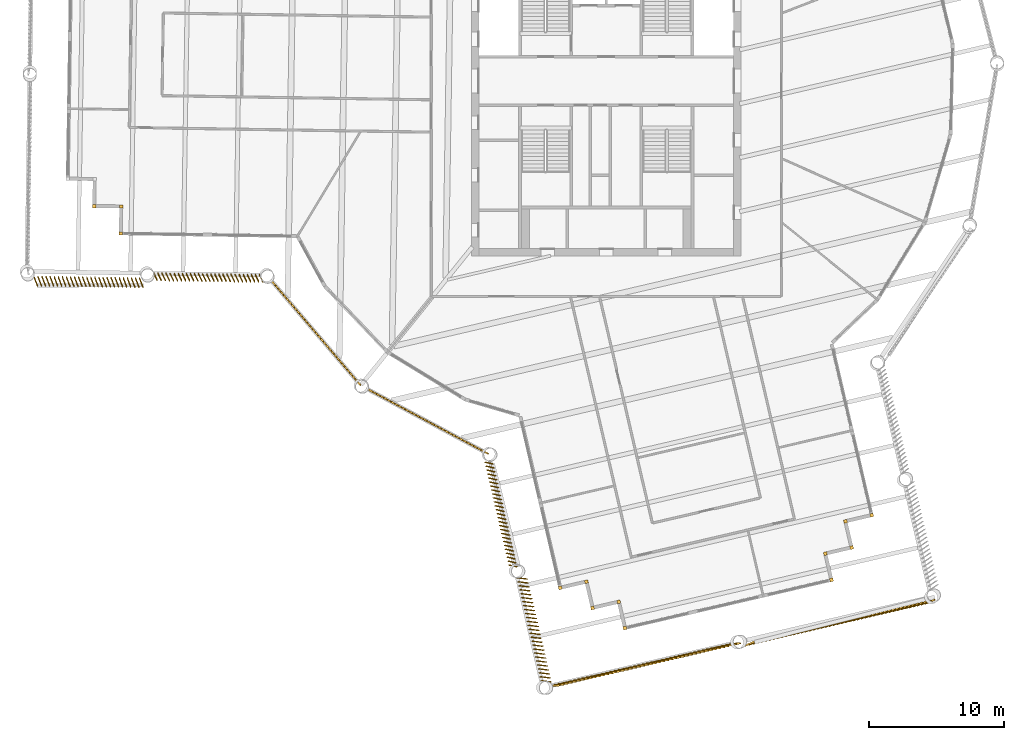
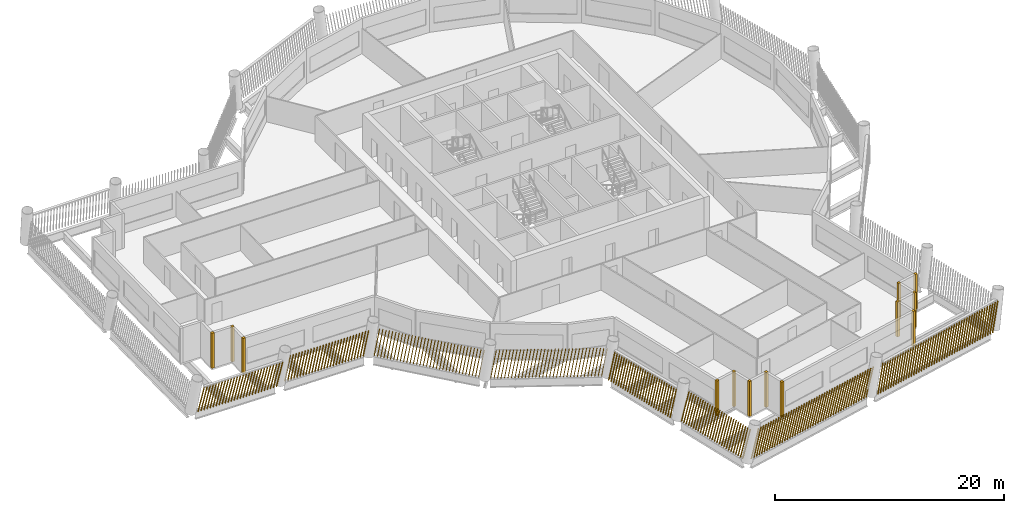
# One storey, part 11 of 15: 21 shading devices.
"""IFC4 building model written with IfcOpenShell, lengths in metres."""

import ifcopenshell
import ifcopenshell.guid

model = None  # the IFC model being written
_history = None  # IfcOwnerHistory: only IFC2X3 demands one
_inside = {}  # id of a spatial element -> (the spatial element, [elements in it])
_under = {}  # id of a project, library or spatial element -> (it, [spatial elements below it])
_declared = {}  # id of a project -> (the project, [libraries it declares])
_typed = {}  # id of a type object -> (the type object, [elements of that type])
_made_of = {}  # id of a material, layer set ... -> (it, [elements and type objects made of it])


def new_model(schema):
    """Start an empty IFC model of exactly this schema.

    Asked for "IFC4X3", IfcOpenShell would pick the latest addendum, in which some entities
    have other attributes; the version numbers below select the first issue.
    IFC2X3 requires an IfcOwnerHistory on every rooted entity: one is made here for all.
    """
    global model, _history
    if schema == "IFC4X3":
        model = ifcopenshell.file(schema_version=(4, 3, 0, 0))
    else:
        model = ifcopenshell.file(schema=schema)
    _inside.clear()
    _under.clear()
    _declared.clear()
    _typed.clear()
    _made_of.clear()
    _history = None
    if model.schema == "IFC2X3":
        org = make("IfcOrganization", Name="unknown")
        user = make(
            "IfcPersonAndOrganization",
            ThePerson=make("IfcPerson", FamilyName="unknown"),
            TheOrganization=org,
        )
        app = make(
            "IfcApplication",
            ApplicationDeveloper=org,
            Version="unknown",
            ApplicationFullName="unknown",
            ApplicationIdentifier="unknown",
        )
        _history = make(
            "IfcOwnerHistory",
            OwningUser=user,
            OwningApplication=app,
            ChangeAction="ADDED",
            CreationDate=0,
        )
    return model


def make(cls, **values):
    """One entity of the class cls with the attributes given. An attribute that is None is left unset."""
    return model.create_entity(
        cls, **{name: value for name, value in values.items() if value is not None}
    )


def rooted(cls, **values):
    """An entity with a GlobalId (a new one), such as an element, a storey or a relation."""
    return make(cls, GlobalId=ifcopenshell.guid.new(), OwnerHistory=_history, **values)


def si_unit(unit_type, name, prefix=None):
    """IfcSIUnit, for example si_unit("LENGTHUNIT", "METRE", prefix="MILLI")."""
    return make("IfcSIUnit", UnitType=unit_type, Prefix=prefix, Name=name)


def assignment(units):
    """IfcUnitAssignment: the units of a project."""
    return None if units is None else make("IfcUnitAssignment", Units=units)


def point(xyz):
    """IfcCartesianPoint."""
    return None if xyz is None else make("IfcCartesianPoint", Coordinates=xyz)


def direction(xyz):
    """IfcDirection."""
    return None if xyz is None else make("IfcDirection", DirectionRatios=xyz)


def frame(location, z_axis=None, x_axis=None):
    """IfcAxis2Placement3D, a coordinate frame: its origin and axes. An axis left out is left unset."""
    return make(
        "IfcAxis2Placement3D",
        Location=point(location),
        Axis=direction(z_axis),
        RefDirection=direction(x_axis),
    )


def frame_2d(location, x_axis=None):
    """IfcAxis2Placement2D, a coordinate frame in the plane: its origin and x axis."""
    return make(
        "IfcAxis2Placement2D", Location=point(location), RefDirection=direction(x_axis)
    )


def origin():
    """The frame at (0, 0, 0) with its axes left unset."""
    return frame((0.0, 0.0, 0.0))


def origin_2d():
    """The frame at (0, 0) in the plane with its x axis left unset."""
    return frame_2d((0.0, 0.0))


def place(relative_to, where):
    """IfcLocalPlacement: puts the frame where relative to a parent placement (None: the world)."""
    return make(
        "IfcLocalPlacement", PlacementRelTo=relative_to, RelativePlacement=where
    )


def context(
    kind, dimensions, precision=None, world=None, true_north=None, identifier=None
):
    """IfcGeometricRepresentationContext, for example the 3D "Model" context."""
    return make(
        "IfcGeometricRepresentationContext",
        ContextIdentifier=identifier,
        ContextType=kind,
        CoordinateSpaceDimension=dimensions,
        Precision=precision,
        WorldCoordinateSystem=world,
        TrueNorth=true_north,
    )


def subcontext(parent, identifier, kind, view, scale=None):
    """IfcGeometricRepresentationSubContext, for example "Body" below "Model"."""
    return make(
        "IfcGeometricRepresentationSubContext",
        ContextIdentifier=identifier,
        ContextType=kind,
        ParentContext=parent,
        TargetScale=scale,
        TargetView=view,
    )


def project(units=None, contexts=None):
    """IfcProject with its units and contexts."""
    return rooted(
        "IfcProject",
        Name="project",
        RepresentationContexts=contexts,
        UnitsInContext=assignment(units),
    )


def spatial(cls, under=None, at=None, **own):
    """A site, building, storey or space (cls), placed at a placement, below another one or the project."""
    s = rooted(cls, ObjectPlacement=at, **own)
    if under is not None:
        _under.setdefault(under.id(), (under, []))[1].append(s)
    return s


def profile(cls, at=None, kind="AREA", **sizes):
    """A parametric profile (cls). Its sizes go by their IFC names, for example OverallWidth=200.0."""
    return make(cls, ProfileType=kind, Position=at, **sizes)


def rectangle(**sizes):
    """IfcRectangleProfileDef."""
    return profile("IfcRectangleProfileDef", **sizes)


def composite_profile(profiles, kind="AREA"):
    """IfcCompositeProfileDef: several profiles as one."""
    return make("IfcCompositeProfileDef", ProfileType=kind, Profiles=profiles)


def extrude(swept, where, along, depth):
    """IfcExtrudedAreaSolid: the profile swept, set in the frame where, extruded along a direction by depth."""
    return make(
        "IfcExtrudedAreaSolid",
        SweptArea=swept,
        Position=where,
        ExtrudedDirection=direction(along),
        Depth=depth,
    )


def shape(context_of_items, identifier, shape_type, items):
    """IfcShapeRepresentation: the items that make up one representation, for example the "Body"."""
    return make(
        "IfcShapeRepresentation",
        ContextOfItems=context_of_items,
        RepresentationIdentifier=identifier,
        RepresentationType=shape_type,
        Items=items,
    )


def material(Name=None, Category=None):
    """IfcMaterial."""
    return make("IfcMaterial", Name=Name, Category=Category)


def made_of(thing, what):
    """Note that an element or type object is made of a material, layer set ...; save() writes the relation."""
    if what is not None:
        _made_of.setdefault(what.id(), (what, []))[1].append(thing)
    return thing


def type_object(cls, material=None, **own):
    """A type object (cls), such as IfcWallType, which elements share."""
    return made_of(rooted(cls, **own), material)


def element(
    cls,
    number,
    at=None,
    inside=None,
    cuts=None,
    type_object=None,
    material=None,
    context=None,
    identifier="Body",
    shape_type=None,
    held_by="IfcProductDefinitionShape",
    body=None,
    shapes=None,
    **own,
):
    """One element of the class cls, such as IfcWall. Its Tag is "e" and its number.

    at: its placement. inside: the storey or other place that contains it. cuts: it is an
    opening in that element (IfcRelVoidsElement). A single representation is given by context,
    identifier, shape_type and body (its items); several are given by shapes. held_by: the class
    of the entity that holds the representations. save() writes the other relations.
    """
    e = rooted(cls, Tag="e%d" % number, ObjectPlacement=at, **own)
    if body is not None:
        shapes = [shape(context, identifier, shape_type, body)]
    if shapes is not None:
        e.Representation = make(held_by, Representations=shapes)
    if inside is not None:
        _inside.setdefault(inside.id(), (inside, []))[1].append(e)
    if cuts is not None:
        rooted(
            "IfcRelVoidsElement", RelatingBuildingElement=cuts, RelatedOpeningElement=e
        )
    if type_object is not None:
        _typed.setdefault(type_object.id(), (type_object, []))[1].append(e)
    return made_of(e, material)


def aggregate(whole, parts):
    """IfcRelAggregates: a whole, such as a stair, and the parts it consists of."""
    return rooted("IfcRelAggregates", RelatingObject=whole, RelatedObjects=parts)


def save(model, path):
    """Write the relations noted so far, then the file.

    IfcRelAggregates (storeys below a building ...), IfcRelContainedInSpatialStructure (elements
    in a storey), IfcRelDefinesByType, IfcRelAssociatesMaterial and IfcRelDeclares: one each for
    every whole, place, type object, material and project.
    """
    for whole, parts in _under.values():
        aggregate(whole, parts)
    for where, things in _inside.values():
        rooted(
            "IfcRelContainedInSpatialStructure",
            RelatedElements=things,
            RelatingStructure=where,
        )
    for kind, things in _typed.values():
        rooted("IfcRelDefinesByType", RelatedObjects=things, RelatingType=kind)
    for what, things in _made_of.values():
        rooted("IfcRelAssociatesMaterial", RelatedObjects=things, RelatingMaterial=what)
    for by, libraries in _declared.values():
        rooted("IfcRelDeclares", RelatingContext=by, RelatedDefinitions=libraries)
    model.write(path)


model = new_model("IFC4")

# Units and contexts
model_context = context("Model", 3, precision=1e-05, world=origin(), true_north=direction((0.0, 1.0)))
body_context = subcontext(model_context, "Body", "Model", "MODEL_VIEW")
ifc_project = project(units=[si_unit("LENGTHUNIT", "METRE"), si_unit("AREAUNIT", "SQUARE_METRE"), si_unit("VOLUMEUNIT", "CUBIC_METRE"), si_unit("PLANEANGLEUNIT", "RADIAN"), si_unit("MASSUNIT", "GRAM", prefix="KILO")], contexts=[model_context])

# Site, building, storey
site_placement = place(None, origin())
site = spatial("IfcSite", under=ifc_project, at=site_placement, CompositionType="ELEMENT")
building_placement = place(site_placement, origin())
building = spatial("IfcBuilding", under=site, at=building_placement, Name="Tarsis Ring Headquarters", CompositionType="ELEMENT")
storey_placement = place(building_placement, frame((0.0, 0.0, 282.5)))
storey = spatial("IfcBuildingStorey", under=building, at=storey_placement, Name="L66", CompositionType="ELEMENT", Elevation=282.5)

# Shading devices
ifc_material = material(Name="Terracotta baguette", Category="masonry")
shading_device_type_1 = type_object("IfcShadingDeviceType", Name="Terracotta baguette screen", PredefinedType="USERDEFINED", material=ifc_material)
shading_device_1_placement = place(storey_placement, frame((-17.792724609375, -22.849365234375, 0.0), z_axis=(0.0, 0.0, 1.0), x_axis=(0.881346192285, -0.472491505097, 0.0)))
element("IfcShadingDevice", 1, at=shading_device_1_placement, inside=storey, type_object=shading_device_type_1, Name="Baguette screen L66-00", ObjectType="Terracotta baguette screen", PredefinedType="USERDEFINED", context=body_context, shape_type="SweptSolid", body=[
    extrude(composite_profile([rectangle(XDim=0.06005859375, YDim=0.1201171875, at=frame_2d((0.030029296875, 0.0))), rectangle(XDim=0.06005859375, YDim=0.1201171875, at=frame_2d((0.33349609375, 0.0))), rectangle(XDim=0.06005859375, YDim=0.1201171875, at=frame_2d((0.636962890625, 0.0))), rectangle(XDim=0.06005859375, YDim=0.1201171875, at=frame_2d((0.9404296875, 0.0))), rectangle(XDim=0.06005859375, YDim=0.1201171875, at=frame_2d((1.243896484375, 0.0))), rectangle(XDim=0.06005859375, YDim=0.1201171875, at=frame_2d((1.54736328125, 0.0))), rectangle(XDim=0.06005859375, YDim=0.1201171875, at=frame_2d((1.850830078125, 0.0))), rectangle(XDim=0.06005859375, YDim=0.1201171875, at=frame_2d((2.154296875, 0.0))), rectangle(XDim=0.06005859375, YDim=0.1201171875, at=frame_2d((2.4580078125, 0.0))), rectangle(XDim=0.06005859375, YDim=0.1201171875, at=frame_2d((2.761474609375, 0.0))), rectangle(XDim=0.06005859375, YDim=0.1201171875, at=frame_2d((3.06494140625, 0.0))), rectangle(XDim=0.06005859375, YDim=0.1201171875, at=frame_2d((3.368408203125, 0.0))), rectangle(XDim=0.06005859375, YDim=0.1201171875, at=frame_2d((3.671875, 0.0))), rectangle(XDim=0.06005859375, YDim=0.1201171875, at=frame_2d((3.975341796875, 0.0))), rectangle(XDim=0.06005859375, YDim=0.1201171875, at=frame_2d((4.27880859375, 0.0))), rectangle(XDim=0.06005859375, YDim=0.1201171875, at=frame_2d((4.582275390625, 0.0))), rectangle(XDim=0.06005859375, YDim=0.1201171875, at=frame_2d((4.8857421875, 0.0))), rectangle(XDim=0.06005859375, YDim=0.1201171875, at=frame_2d((5.189208984375, 0.0))), rectangle(XDim=0.06005859375, YDim=0.1201171875, at=frame_2d((5.49267578125, 0.0))), rectangle(XDim=0.06005859375, YDim=0.1201171875, at=frame_2d((5.796142578125, 0.0))), rectangle(XDim=0.06005859375, YDim=0.1201171875, at=frame_2d((6.099609375, 0.0))), rectangle(XDim=0.06005859375, YDim=0.1201171875, at=frame_2d((6.403076171875, 0.0))), rectangle(XDim=0.06005859375, YDim=0.1201171875, at=frame_2d((6.70654296875, 0.0))), rectangle(XDim=0.06005859375, YDim=0.1201171875, at=frame_2d((7.010009765625, 0.0))), rectangle(XDim=0.06005859375, YDim=0.1201171875, at=frame_2d((7.3134765625, 0.0))), rectangle(XDim=0.06005859375, YDim=0.1201171875, at=frame_2d((7.6171875, 0.0))), rectangle(XDim=0.06005859375, YDim=0.1201171875, at=frame_2d((7.920654296875, 0.0))), rectangle(XDim=0.06005859375, YDim=0.1201171875, at=frame_2d((8.22412109375, 0.0))), rectangle(XDim=0.06005859375, YDim=0.1201171875, at=frame_2d((8.527587890625, 0.0))), rectangle(XDim=0.06005859375, YDim=0.1201171875, at=frame_2d((8.8310546875, 0.0))), rectangle(XDim=0.06005859375, YDim=0.1201171875, at=frame_2d((9.134521484375, 0.0))), rectangle(XDim=0.06005859375, YDim=0.1201171875, at=frame_2d((9.43798828125, 0.0))), rectangle(XDim=0.06005859375, YDim=0.1201171875, at=frame_2d((9.741455078125, 0.0)))]), origin(), (0.165547214253, 0.001447033673, 0.986200804069), 3.00927734375),
])
shading_device_2_placement = place(storey_placement, frame((-8.99169921875, -28.274658203125, 0.0), z_axis=(0.0, 0.0, 1.0), x_axis=(0.226990453239, -0.973893162789, 0.0)))
element("IfcShadingDevice", 2, at=shading_device_2_placement, inside=storey, type_object=shading_device_type_1, Name="Baguette screen L66-01", ObjectType="Terracotta baguette screen", PredefinedType="USERDEFINED", context=body_context, shape_type="SweptSolid", body=[
    extrude(composite_profile([rectangle(XDim=0.06005859375, YDim=0.1201171875, at=frame_2d((0.030029296875, 0.0))), rectangle(XDim=0.06005859375, YDim=0.1201171875, at=frame_2d((0.33154296875, 0.0))), rectangle(XDim=0.06005859375, YDim=0.1201171875, at=frame_2d((0.63330078125, 0.0))), rectangle(XDim=0.06005859375, YDim=0.1201171875, at=frame_2d((0.934814453125, 0.0))), rectangle(XDim=0.06005859375, YDim=0.1201171875, at=frame_2d((1.236572265625, 0.0))), rectangle(XDim=0.06005859375, YDim=0.1201171875, at=frame_2d((1.5380859375, 0.0))), rectangle(XDim=0.06005859375, YDim=0.1201171875, at=frame_2d((1.83984375, 0.0))), rectangle(XDim=0.06005859375, YDim=0.1201171875, at=frame_2d((2.141357421875, 0.0))), rectangle(XDim=0.06005859375, YDim=0.1201171875, at=frame_2d((2.443115234375, 0.0))), rectangle(XDim=0.06005859375, YDim=0.1201171875, at=frame_2d((2.74462890625, 0.0))), rectangle(XDim=0.06005859375, YDim=0.1201171875, at=frame_2d((3.04638671875, 0.0))), rectangle(XDim=0.06005859375, YDim=0.1201171875, at=frame_2d((3.347900390625, 0.0))), rectangle(XDim=0.06005859375, YDim=0.1201171875, at=frame_2d((3.649658203125, 0.0))), rectangle(XDim=0.06005859375, YDim=0.1201171875, at=frame_2d((3.951171875, 0.0))), rectangle(XDim=0.06005859375, YDim=0.1201171875, at=frame_2d((4.252685546875, 0.0))), rectangle(XDim=0.06005859375, YDim=0.1201171875, at=frame_2d((4.554443359375, 0.0))), rectangle(XDim=0.06005859375, YDim=0.1201171875, at=frame_2d((4.85595703125, 0.0))), rectangle(XDim=0.06005859375, YDim=0.1201171875, at=frame_2d((5.15771484375, 0.0))), rectangle(XDim=0.06005859375, YDim=0.1201171875, at=frame_2d((5.459228515625, 0.0))), rectangle(XDim=0.06005859375, YDim=0.1201171875, at=frame_2d((5.760986328125, 0.0))), rectangle(XDim=0.06005859375, YDim=0.1201171875, at=frame_2d((6.0625, 0.0))), rectangle(XDim=0.06005859375, YDim=0.1201171875, at=frame_2d((6.3642578125, 0.0))), rectangle(XDim=0.06005859375, YDim=0.1201171875, at=frame_2d((6.665771484375, 0.0))), rectangle(XDim=0.06005859375, YDim=0.1201171875, at=frame_2d((6.967529296875, 0.0))), rectangle(XDim=0.06005859375, YDim=0.1201171875, at=frame_2d((7.26904296875, 0.0))), rectangle(XDim=0.06005859375, YDim=0.1201171875, at=frame_2d((7.57080078125, 0.0))), rectangle(XDim=0.06005859375, YDim=0.1201171875, at=frame_2d((7.872314453125, 0.0)))]), origin(), (0.086108231476, 0.170733486886, 0.981547476655), 3.023681640625),
])
shading_device_3_placement = place(storey_placement, frame((-6.605712890625, -36.859375, 0.0), z_axis=(0.0, 0.0, 1.0), x_axis=(0.226983440435, -0.973893969352, 0.0)))
element("IfcShadingDevice", 3, at=shading_device_3_placement, inside=storey, type_object=shading_device_type_1, Name="Baguette screen L66-02", ObjectType="Terracotta baguette screen", PredefinedType="USERDEFINED", context=body_context, shape_type="SweptSolid", body=[
    extrude(composite_profile([rectangle(XDim=0.06005859375, YDim=0.1201171875, at=frame_2d((0.030029296875, 0.0))), rectangle(XDim=0.06005859375, YDim=0.1201171875, at=frame_2d((0.33154296875, 0.0))), rectangle(XDim=0.06005859375, YDim=0.1201171875, at=frame_2d((0.63330078125, 0.0))), rectangle(XDim=0.06005859375, YDim=0.1201171875, at=frame_2d((0.934814453125, 0.0))), rectangle(XDim=0.06005859375, YDim=0.1201171875, at=frame_2d((1.236572265625, 0.0))), rectangle(XDim=0.06005859375, YDim=0.1201171875, at=frame_2d((1.5380859375, 0.0))), rectangle(XDim=0.06005859375, YDim=0.1201171875, at=frame_2d((1.83984375, 0.0))), rectangle(XDim=0.06005859375, YDim=0.1201171875, at=frame_2d((2.141357421875, 0.0))), rectangle(XDim=0.06005859375, YDim=0.1201171875, at=frame_2d((2.443115234375, 0.0))), rectangle(XDim=0.06005859375, YDim=0.1201171875, at=frame_2d((2.74462890625, 0.0))), rectangle(XDim=0.06005859375, YDim=0.1201171875, at=frame_2d((3.04638671875, 0.0))), rectangle(XDim=0.06005859375, YDim=0.1201171875, at=frame_2d((3.347900390625, 0.0))), rectangle(XDim=0.06005859375, YDim=0.1201171875, at=frame_2d((3.649658203125, 0.0))), rectangle(XDim=0.06005859375, YDim=0.1201171875, at=frame_2d((3.951171875, 0.0))), rectangle(XDim=0.06005859375, YDim=0.1201171875, at=frame_2d((4.252685546875, 0.0))), rectangle(XDim=0.06005859375, YDim=0.1201171875, at=frame_2d((4.554443359375, 0.0))), rectangle(XDim=0.06005859375, YDim=0.1201171875, at=frame_2d((4.85595703125, 0.0))), rectangle(XDim=0.06005859375, YDim=0.1201171875, at=frame_2d((5.15771484375, 0.0))), rectangle(XDim=0.06005859375, YDim=0.1201171875, at=frame_2d((5.459228515625, 0.0))), rectangle(XDim=0.06005859375, YDim=0.1201171875, at=frame_2d((5.760986328125, 0.0))), rectangle(XDim=0.06005859375, YDim=0.1201171875, at=frame_2d((6.0625, 0.0))), rectangle(XDim=0.06005859375, YDim=0.1201171875, at=frame_2d((6.3642578125, 0.0))), rectangle(XDim=0.06005859375, YDim=0.1201171875, at=frame_2d((6.665771484375, 0.0))), rectangle(XDim=0.06005859375, YDim=0.1201171875, at=frame_2d((6.967529296875, 0.0))), rectangle(XDim=0.06005859375, YDim=0.1201171875, at=frame_2d((7.26904296875, 0.0))), rectangle(XDim=0.06005859375, YDim=0.1201171875, at=frame_2d((7.57080078125, 0.0))), rectangle(XDim=0.06005859375, YDim=0.1201171875, at=frame_2d((7.872314453125, 0.0)))]), origin(), (0.082681745888, 0.219940033506, 0.972003143286), 3.05322265625),
])
shading_device_4_placement = place(storey_placement, frame((-4.21142578125, -44.9287109375, 0.0), z_axis=(0.0, 0.0, 1.0), x_axis=(0.973904889958, 0.226983228363, 0.0)))
element("IfcShadingDevice", 4, at=shading_device_4_placement, inside=storey, type_object=shading_device_type_1, Name="Baguette screen L66-03", ObjectType="Terracotta baguette screen", PredefinedType="USERDEFINED", context=body_context, shape_type="SweptSolid", body=[
    extrude(composite_profile([rectangle(XDim=0.06005859375, YDim=0.1201171875, at=frame_2d((0.030029296875, 0.0))), rectangle(XDim=0.06005859375, YDim=0.1201171875, at=frame_2d((0.33544921875, 0.0))), rectangle(XDim=0.06005859375, YDim=0.1201171875, at=frame_2d((0.640625, 0.0))), rectangle(XDim=0.06005859375, YDim=0.1201171875, at=frame_2d((0.946044921875, 0.0))), rectangle(XDim=0.06005859375, YDim=0.1201171875, at=frame_2d((1.25146484375, 0.0))), rectangle(XDim=0.06005859375, YDim=0.1201171875, at=frame_2d((1.556640625, 0.0))), rectangle(XDim=0.06005859375, YDim=0.1201171875, at=frame_2d((1.862060546875, 0.0))), rectangle(XDim=0.06005859375, YDim=0.1201171875, at=frame_2d((2.16748046875, 0.0))), rectangle(XDim=0.06005859375, YDim=0.1201171875, at=frame_2d((2.47265625, 0.0))), rectangle(XDim=0.06005859375, YDim=0.1201171875, at=frame_2d((2.778076171875, 0.0))), rectangle(XDim=0.06005859375, YDim=0.1201171875, at=frame_2d((3.08349609375, 0.0))), rectangle(XDim=0.06005859375, YDim=0.1201171875, at=frame_2d((3.388671875, 0.0))), rectangle(XDim=0.06005859375, YDim=0.1201171875, at=frame_2d((3.694091796875, 0.0))), rectangle(XDim=0.06005859375, YDim=0.1201171875, at=frame_2d((3.99951171875, 0.0))), rectangle(XDim=0.06005859375, YDim=0.1201171875, at=frame_2d((4.3046875, 0.0))), rectangle(XDim=0.06005859375, YDim=0.1201171875, at=frame_2d((4.610107421875, 0.0))), rectangle(XDim=0.06005859375, YDim=0.1201171875, at=frame_2d((4.91552734375, 0.0))), rectangle(XDim=0.06005859375, YDim=0.1201171875, at=frame_2d((5.220703125, 0.0))), rectangle(XDim=0.06005859375, YDim=0.1201171875, at=frame_2d((5.526123046875, 0.0))), rectangle(XDim=0.06005859375, YDim=0.1201171875, at=frame_2d((5.83154296875, 0.0))), rectangle(XDim=0.06005859375, YDim=0.1201171875, at=frame_2d((6.13671875, 0.0))), rectangle(XDim=0.06005859375, YDim=0.1201171875, at=frame_2d((6.442138671875, 0.0))), rectangle(XDim=0.06005859375, YDim=0.1201171875, at=frame_2d((6.74755859375, 0.0))), rectangle(XDim=0.06005859375, YDim=0.1201171875, at=frame_2d((7.052734375, 0.0))), rectangle(XDim=0.06005859375, YDim=0.1201171875, at=frame_2d((7.358154296875, 0.0))), rectangle(XDim=0.06005859375, YDim=0.1201171875, at=frame_2d((7.66357421875, 0.0))), rectangle(XDim=0.06005859375, YDim=0.1201171875, at=frame_2d((7.96875, 0.0))), rectangle(XDim=0.06005859375, YDim=0.1201171875, at=frame_2d((8.274169921875, 0.0))), rectangle(XDim=0.06005859375, YDim=0.1201171875, at=frame_2d((8.57958984375, 0.0))), rectangle(XDim=0.06005859375, YDim=0.1201171875, at=frame_2d((8.884765625, 0.0))), rectangle(XDim=0.06005859375, YDim=0.1201171875, at=frame_2d((9.190185546875, 0.0))), rectangle(XDim=0.06005859375, YDim=0.1201171875, at=frame_2d((9.49560546875, 0.0))), rectangle(XDim=0.06005859375, YDim=0.1201171875, at=frame_2d((9.80078125, 0.0))), rectangle(XDim=0.06005859375, YDim=0.1201171875, at=frame_2d((10.106201171875, 0.0))), rectangle(XDim=0.06005859375, YDim=0.1201171875, at=frame_2d((10.41162109375, 0.0))), rectangle(XDim=0.06005859375, YDim=0.1201171875, at=frame_2d((10.716796875, 0.0))), rectangle(XDim=0.06005859375, YDim=0.1201171875, at=frame_2d((11.022216796875, 0.0))), rectangle(XDim=0.06005859375, YDim=0.1201171875, at=frame_2d((11.32763671875, 0.0))), rectangle(XDim=0.06005859375, YDim=0.1201171875, at=frame_2d((11.6328125, 0.0))), rectangle(XDim=0.06005859375, YDim=0.1201171875, at=frame_2d((11.938232421875, 0.0))), rectangle(XDim=0.06005859375, YDim=0.1201171875, at=frame_2d((12.24365234375, 0.0))), rectangle(XDim=0.06005859375, YDim=0.1201171875, at=frame_2d((12.548828125, 0.0))), rectangle(XDim=0.06005859375, YDim=0.1201171875, at=frame_2d((12.854248046875, 0.0))), rectangle(XDim=0.06005859375, YDim=0.1201171875, at=frame_2d((13.15966796875, 0.0))), rectangle(XDim=0.06005859375, YDim=0.1201171875, at=frame_2d((13.46484375, 0.0))), rectangle(XDim=0.06005859375, YDim=0.1201171875, at=frame_2d((13.770263671875, 0.0)))]), origin(), (0.244231111719, -0.040032586637, 0.968890373611), 3.06298828125),
])
shading_device_5_placement = place(storey_placement, frame((10.287353515625, -41.9345703125, 0.0), z_axis=(0.0, 0.0, 1.0), x_axis=(0.973887660327, 0.226996904025, 0.0)))
element("IfcShadingDevice", 5, at=shading_device_5_placement, inside=storey, type_object=shading_device_type_1, Name="Baguette screen L66-04", ObjectType="Terracotta baguette screen", PredefinedType="USERDEFINED", context=body_context, shape_type="SweptSolid", body=[
    extrude(composite_profile([rectangle(XDim=0.06005859375, YDim=0.1201171875, at=frame_2d((0.030029296875, 0.0))), rectangle(XDim=0.06005859375, YDim=0.1201171875, at=frame_2d((0.33544921875, 0.0))), rectangle(XDim=0.06005859375, YDim=0.1201171875, at=frame_2d((0.640625, 0.0))), rectangle(XDim=0.06005859375, YDim=0.1201171875, at=frame_2d((0.946044921875, 0.0))), rectangle(XDim=0.06005859375, YDim=0.1201171875, at=frame_2d((1.25146484375, 0.0))), rectangle(XDim=0.06005859375, YDim=0.1201171875, at=frame_2d((1.556640625, 0.0))), rectangle(XDim=0.06005859375, YDim=0.1201171875, at=frame_2d((1.862060546875, 0.0))), rectangle(XDim=0.06005859375, YDim=0.1201171875, at=frame_2d((2.16748046875, 0.0))), rectangle(XDim=0.06005859375, YDim=0.1201171875, at=frame_2d((2.47265625, 0.0))), rectangle(XDim=0.06005859375, YDim=0.1201171875, at=frame_2d((2.778076171875, 0.0))), rectangle(XDim=0.06005859375, YDim=0.1201171875, at=frame_2d((3.08349609375, 0.0))), rectangle(XDim=0.06005859375, YDim=0.1201171875, at=frame_2d((3.388671875, 0.0))), rectangle(XDim=0.06005859375, YDim=0.1201171875, at=frame_2d((3.694091796875, 0.0))), rectangle(XDim=0.06005859375, YDim=0.1201171875, at=frame_2d((3.99951171875, 0.0))), rectangle(XDim=0.06005859375, YDim=0.1201171875, at=frame_2d((4.3046875, 0.0))), rectangle(XDim=0.06005859375, YDim=0.1201171875, at=frame_2d((4.610107421875, 0.0))), rectangle(XDim=0.06005859375, YDim=0.1201171875, at=frame_2d((4.91552734375, 0.0))), rectangle(XDim=0.06005859375, YDim=0.1201171875, at=frame_2d((5.220703125, 0.0))), rectangle(XDim=0.06005859375, YDim=0.1201171875, at=frame_2d((5.526123046875, 0.0))), rectangle(XDim=0.06005859375, YDim=0.1201171875, at=frame_2d((5.83154296875, 0.0))), rectangle(XDim=0.06005859375, YDim=0.1201171875, at=frame_2d((6.13671875, 0.0))), rectangle(XDim=0.06005859375, YDim=0.1201171875, at=frame_2d((6.442138671875, 0.0))), rectangle(XDim=0.06005859375, YDim=0.1201171875, at=frame_2d((6.74755859375, 0.0))), rectangle(XDim=0.06005859375, YDim=0.1201171875, at=frame_2d((7.052734375, 0.0))), rectangle(XDim=0.06005859375, YDim=0.1201171875, at=frame_2d((7.358154296875, 0.0))), rectangle(XDim=0.06005859375, YDim=0.1201171875, at=frame_2d((7.66357421875, 0.0))), rectangle(XDim=0.06005859375, YDim=0.1201171875, at=frame_2d((7.96875, 0.0))), rectangle(XDim=0.06005859375, YDim=0.1201171875, at=frame_2d((8.274169921875, 0.0))), rectangle(XDim=0.06005859375, YDim=0.1201171875, at=frame_2d((8.57958984375, 0.0))), rectangle(XDim=0.06005859375, YDim=0.1201171875, at=frame_2d((8.884765625, 0.0))), rectangle(XDim=0.06005859375, YDim=0.1201171875, at=frame_2d((9.190185546875, 0.0))), rectangle(XDim=0.06005859375, YDim=0.1201171875, at=frame_2d((9.49560546875, 0.0))), rectangle(XDim=0.06005859375, YDim=0.1201171875, at=frame_2d((9.80078125, 0.0))), rectangle(XDim=0.06005859375, YDim=0.1201171875, at=frame_2d((10.106201171875, 0.0))), rectangle(XDim=0.06005859375, YDim=0.1201171875, at=frame_2d((10.41162109375, 0.0))), rectangle(XDim=0.06005859375, YDim=0.1201171875, at=frame_2d((10.716796875, 0.0))), rectangle(XDim=0.06005859375, YDim=0.1201171875, at=frame_2d((11.022216796875, 0.0))), rectangle(XDim=0.06005859375, YDim=0.1201171875, at=frame_2d((11.32763671875, 0.0))), rectangle(XDim=0.06005859375, YDim=0.1201171875, at=frame_2d((11.6328125, 0.0))), rectangle(XDim=0.06005859375, YDim=0.1201171875, at=frame_2d((11.938232421875, 0.0))), rectangle(XDim=0.06005859375, YDim=0.1201171875, at=frame_2d((12.24365234375, 0.0))), rectangle(XDim=0.06005859375, YDim=0.1201171875, at=frame_2d((12.548828125, 0.0))), rectangle(XDim=0.06005859375, YDim=0.1201171875, at=frame_2d((12.854248046875, 0.0))), rectangle(XDim=0.06005859375, YDim=0.1201171875, at=frame_2d((13.15966796875, 0.0))), rectangle(XDim=0.06005859375, YDim=0.1201171875, at=frame_2d((13.46484375, 0.0))), rectangle(XDim=0.06005859375, YDim=0.1201171875, at=frame_2d((13.770263671875, 0.0)))]), origin(), (0.245500224, 0.044284224668, 0.968384503935), 3.064697265625),
])
shading_device_6_placement = place(storey_placement, frame((-42.528076171875, -14.5234375, 0.0), z_axis=(0.0, 0.0, 1.0), x_axis=(0.999876421157, -0.015385565991, 0.0)))
element("IfcShadingDevice", 6, at=shading_device_6_placement, inside=storey, type_object=shading_device_type_1, Name="Baguette screen L66-19", ObjectType="Terracotta baguette screen", PredefinedType="USERDEFINED", context=body_context, shape_type="SweptSolid", body=[
    extrude(composite_profile([rectangle(XDim=0.06005859375, YDim=0.1201171875, at=frame_2d((0.030029296875, 0.0))), rectangle(XDim=0.06005859375, YDim=0.1201171875, at=frame_2d((0.33154296875, 0.0))), rectangle(XDim=0.06005859375, YDim=0.1201171875, at=frame_2d((0.63330078125, 0.0))), rectangle(XDim=0.06005859375, YDim=0.1201171875, at=frame_2d((0.934814453125, 0.0))), rectangle(XDim=0.06005859375, YDim=0.1201171875, at=frame_2d((1.236572265625, 0.0))), rectangle(XDim=0.06005859375, YDim=0.1201171875, at=frame_2d((1.5380859375, 0.0))), rectangle(XDim=0.06005859375, YDim=0.1201171875, at=frame_2d((1.83984375, 0.0))), rectangle(XDim=0.06005859375, YDim=0.1201171875, at=frame_2d((2.141357421875, 0.0))), rectangle(XDim=0.06005859375, YDim=0.1201171875, at=frame_2d((2.443115234375, 0.0))), rectangle(XDim=0.06005859375, YDim=0.1201171875, at=frame_2d((2.74462890625, 0.0))), rectangle(XDim=0.06005859375, YDim=0.1201171875, at=frame_2d((3.04638671875, 0.0))), rectangle(XDim=0.06005859375, YDim=0.1201171875, at=frame_2d((3.347900390625, 0.0))), rectangle(XDim=0.06005859375, YDim=0.1201171875, at=frame_2d((3.649658203125, 0.0))), rectangle(XDim=0.06005859375, YDim=0.1201171875, at=frame_2d((3.951171875, 0.0))), rectangle(XDim=0.06005859375, YDim=0.1201171875, at=frame_2d((4.252685546875, 0.0))), rectangle(XDim=0.06005859375, YDim=0.1201171875, at=frame_2d((4.554443359375, 0.0))), rectangle(XDim=0.06005859375, YDim=0.1201171875, at=frame_2d((4.85595703125, 0.0))), rectangle(XDim=0.06005859375, YDim=0.1201171875, at=frame_2d((5.15771484375, 0.0))), rectangle(XDim=0.06005859375, YDim=0.1201171875, at=frame_2d((5.459228515625, 0.0))), rectangle(XDim=0.06005859375, YDim=0.1201171875, at=frame_2d((5.760986328125, 0.0))), rectangle(XDim=0.06005859375, YDim=0.1201171875, at=frame_2d((6.0625, 0.0))), rectangle(XDim=0.06005859375, YDim=0.1201171875, at=frame_2d((6.3642578125, 0.0))), rectangle(XDim=0.06005859375, YDim=0.1201171875, at=frame_2d((6.665771484375, 0.0))), rectangle(XDim=0.06005859375, YDim=0.1201171875, at=frame_2d((6.967529296875, 0.0))), rectangle(XDim=0.06005859375, YDim=0.1201171875, at=frame_2d((7.26904296875, 0.0))), rectangle(XDim=0.06005859375, YDim=0.1201171875, at=frame_2d((7.57080078125, 0.0))), rectangle(XDim=0.06005859375, YDim=0.1201171875, at=frame_2d((7.872314453125, 0.0)))]), origin(), (0.088642310063, -0.218401722048, 0.971824690298), 3.0537109375),
])
shading_device_7_placement = place(storey_placement, frame((-33.62109375, -14.285400390625, 0.0), z_axis=(0.0, 0.0, 1.0), x_axis=(0.999876421157, -0.01535467128, 0.0)))
element("IfcShadingDevice", 7, at=shading_device_7_placement, inside=storey, type_object=shading_device_type_1, Name="Baguette screen L66-20", ObjectType="Terracotta baguette screen", PredefinedType="USERDEFINED", context=body_context, shape_type="SweptSolid", body=[
    extrude(composite_profile([rectangle(XDim=0.06005859375, YDim=0.1201171875, at=frame_2d((0.030029296875, 0.0))), rectangle(XDim=0.06005859375, YDim=0.1201171875, at=frame_2d((0.33154296875, 0.0))), rectangle(XDim=0.06005859375, YDim=0.1201171875, at=frame_2d((0.63330078125, 0.0))), rectangle(XDim=0.06005859375, YDim=0.1201171875, at=frame_2d((0.934814453125, 0.0))), rectangle(XDim=0.06005859375, YDim=0.1201171875, at=frame_2d((1.236572265625, 0.0))), rectangle(XDim=0.06005859375, YDim=0.1201171875, at=frame_2d((1.5380859375, 0.0))), rectangle(XDim=0.06005859375, YDim=0.1201171875, at=frame_2d((1.83984375, 0.0))), rectangle(XDim=0.06005859375, YDim=0.1201171875, at=frame_2d((2.141357421875, 0.0))), rectangle(XDim=0.06005859375, YDim=0.1201171875, at=frame_2d((2.443115234375, 0.0))), rectangle(XDim=0.06005859375, YDim=0.1201171875, at=frame_2d((2.74462890625, 0.0))), rectangle(XDim=0.06005859375, YDim=0.1201171875, at=frame_2d((3.04638671875, 0.0))), rectangle(XDim=0.06005859375, YDim=0.1201171875, at=frame_2d((3.347900390625, 0.0))), rectangle(XDim=0.06005859375, YDim=0.1201171875, at=frame_2d((3.649658203125, 0.0))), rectangle(XDim=0.06005859375, YDim=0.1201171875, at=frame_2d((3.951171875, 0.0))), rectangle(XDim=0.06005859375, YDim=0.1201171875, at=frame_2d((4.252685546875, 0.0))), rectangle(XDim=0.06005859375, YDim=0.1201171875, at=frame_2d((4.554443359375, 0.0))), rectangle(XDim=0.06005859375, YDim=0.1201171875, at=frame_2d((4.85595703125, 0.0))), rectangle(XDim=0.06005859375, YDim=0.1201171875, at=frame_2d((5.15771484375, 0.0))), rectangle(XDim=0.06005859375, YDim=0.1201171875, at=frame_2d((5.459228515625, 0.0))), rectangle(XDim=0.06005859375, YDim=0.1201171875, at=frame_2d((5.760986328125, 0.0))), rectangle(XDim=0.06005859375, YDim=0.1201171875, at=frame_2d((6.0625, 0.0))), rectangle(XDim=0.06005859375, YDim=0.1201171875, at=frame_2d((6.3642578125, 0.0))), rectangle(XDim=0.06005859375, YDim=0.1201171875, at=frame_2d((6.665771484375, 0.0))), rectangle(XDim=0.06005859375, YDim=0.1201171875, at=frame_2d((6.967529296875, 0.0))), rectangle(XDim=0.06005859375, YDim=0.1201171875, at=frame_2d((7.26904296875, 0.0))), rectangle(XDim=0.06005859375, YDim=0.1201171875, at=frame_2d((7.57080078125, 0.0))), rectangle(XDim=0.06005859375, YDim=0.1201171875, at=frame_2d((7.872314453125, 0.0)))]), origin(), (0.086926221508, -0.169255237913, 0.981731376932), 3.02294921875),
])
shading_device_8_placement = place(storey_placement, frame((-24.8955078125, -14.794921875, 0.0), z_axis=(0.0, 0.0, 1.0), x_axis=(0.648569643973, -0.761149281699, 0.0)))
element("IfcShadingDevice", 8, at=shading_device_8_placement, inside=storey, type_object=shading_device_type_1, Name="Baguette screen L66-21", ObjectType="Terracotta baguette screen", PredefinedType="USERDEFINED", context=body_context, shape_type="SweptSolid", body=[
    extrude(composite_profile([rectangle(XDim=0.06005859375, YDim=0.1201171875, at=frame_2d((0.030029296875, 0.0))), rectangle(XDim=0.06005859375, YDim=0.1201171875, at=frame_2d((0.33349609375, 0.0))), rectangle(XDim=0.06005859375, YDim=0.1201171875, at=frame_2d((0.636962890625, 0.0))), rectangle(XDim=0.06005859375, YDim=0.1201171875, at=frame_2d((0.9404296875, 0.0))), rectangle(XDim=0.06005859375, YDim=0.1201171875, at=frame_2d((1.243896484375, 0.0))), rectangle(XDim=0.06005859375, YDim=0.1201171875, at=frame_2d((1.54736328125, 0.0))), rectangle(XDim=0.06005859375, YDim=0.1201171875, at=frame_2d((1.85107421875, 0.0))), rectangle(XDim=0.06005859375, YDim=0.1201171875, at=frame_2d((2.154541015625, 0.0))), rectangle(XDim=0.06005859375, YDim=0.1201171875, at=frame_2d((2.4580078125, 0.0))), rectangle(XDim=0.06005859375, YDim=0.1201171875, at=frame_2d((2.761474609375, 0.0))), rectangle(XDim=0.06005859375, YDim=0.1201171875, at=frame_2d((3.06494140625, 0.0))), rectangle(XDim=0.06005859375, YDim=0.1201171875, at=frame_2d((3.368408203125, 0.0))), rectangle(XDim=0.06005859375, YDim=0.1201171875, at=frame_2d((3.671875, 0.0))), rectangle(XDim=0.06005859375, YDim=0.1201171875, at=frame_2d((3.975341796875, 0.0))), rectangle(XDim=0.06005859375, YDim=0.1201171875, at=frame_2d((4.27880859375, 0.0))), rectangle(XDim=0.06005859375, YDim=0.1201171875, at=frame_2d((4.582275390625, 0.0))), rectangle(XDim=0.06005859375, YDim=0.1201171875, at=frame_2d((4.8857421875, 0.0))), rectangle(XDim=0.06005859375, YDim=0.1201171875, at=frame_2d((5.189453125, 0.0))), rectangle(XDim=0.06005859375, YDim=0.1201171875, at=frame_2d((5.492919921875, 0.0))), rectangle(XDim=0.06005859375, YDim=0.1201171875, at=frame_2d((5.79638671875, 0.0))), rectangle(XDim=0.06005859375, YDim=0.1201171875, at=frame_2d((6.099853515625, 0.0))), rectangle(XDim=0.06005859375, YDim=0.1201171875, at=frame_2d((6.4033203125, 0.0))), rectangle(XDim=0.06005859375, YDim=0.1201171875, at=frame_2d((6.706787109375, 0.0))), rectangle(XDim=0.06005859375, YDim=0.1201171875, at=frame_2d((7.01025390625, 0.0))), rectangle(XDim=0.06005859375, YDim=0.1201171875, at=frame_2d((7.313720703125, 0.0))), rectangle(XDim=0.06005859375, YDim=0.1201171875, at=frame_2d((7.6171875, 0.0))), rectangle(XDim=0.06005859375, YDim=0.1201171875, at=frame_2d((7.920654296875, 0.0))), rectangle(XDim=0.06005859375, YDim=0.1201171875, at=frame_2d((8.224365234375, 0.0))), rectangle(XDim=0.06005859375, YDim=0.1201171875, at=frame_2d((8.52783203125, 0.0))), rectangle(XDim=0.06005859375, YDim=0.1201171875, at=frame_2d((8.831298828125, 0.0))), rectangle(XDim=0.06005859375, YDim=0.1201171875, at=frame_2d((9.134765625, 0.0))), rectangle(XDim=0.06005859375, YDim=0.1201171875, at=frame_2d((9.438232421875, 0.0))), rectangle(XDim=0.06005859375, YDim=0.1201171875, at=frame_2d((9.74169921875, 0.0)))]), origin(), (0.165544873446, 0.001447503786, 0.986201196313), 3.00927734375),
])
shading_device_type_2 = type_object("IfcShadingDeviceType", Name="Terracotta corner baguette 250x250", PredefinedType="USERDEFINED", material=ifc_material)
for number, where, z_axis, x_axis, name in (
    (9, (-36.05322265625, -11.322509765625, 0.0), (0.0, 0.0, 1.0), (-0.015357996904, -0.999882059011, 0.0), "Corner baguette L66-01"),
    (10, (-3.421630859375, -37.634033203125, 0.0), (0.0, 0.0, 1.0), (0.226991275371, -0.973896791711, 0.0), "Corner baguette L66-07"),
    (11, (-1.473876953125, -37.18017578125, 0.0), (0.0, 0.0, 1.0), (0.973896839252, 0.226991071398, 0.0), "Corner baguette L66-08"),
    (12, (-1.02001953125, -39.1279296875, 0.0), (0.0, 0.0, 1.0), (0.226991445348, -0.973896752094, 0.0), "Corner baguette L66-09"),
    (13, (0.927978515625, -38.673828125, 0.0), (0.0, 0.0, 1.0), (0.973896752094, 0.226991445348, 0.0), "Corner baguette L66-10"),
    (14, (1.3818359375, -40.62158203125, 0.0), (0.0, 0.0, 1.0), (0.226990969412, -0.973896863023, 0.0), "Corner baguette L66-11"),
    (15, (16.720703125, -37.046630859375, 0.0), (0.0, 0.0, 1.0), (0.973896799635, 0.226991241375, 0.0), "Corner baguette L66-12"),
    (16, (16.266845703125, -35.098876953125, 0.0), (0.0, 0.0, 1.0), (-0.226991445348, 0.973896752094, 0.0), "Corner baguette L66-13"),
    (17, (18.214599609375, -34.644775390625, 0.0), (0.0, 0.0, 1.0), (0.973896752094, 0.226991445348, 0.0), "Corner baguette L66-14"),
    (18, (17.760498046875, -32.697021484375, 0.0), (0.0, 0.0, 1.0), (-0.226991071398, 0.973896839252, 0.0), "Corner baguette L66-15"),
    (19, (19.708251953125, -32.242919921875, 0.0), (0.0, 0.0, 1.0), (0.973896752094, 0.226991445348, 0.0), "Corner baguette L66-16"),
    (20, (-38.022216796875, -9.292236328125, 0.0), (0.0, 0.0, 1.0), (-0.015358485539, -0.999882051505, 0.0), "Corner baguette L66-39"),
    (21, (-36.0224609375, -9.32275390625, 0.0), (0.0, 0.0, 1.0), (0.999882059011, -0.015357996904, 0.0), "Corner baguette L66-40"),
):
    element("IfcShadingDevice", number, at=place(storey_placement, frame(where, z_axis=z_axis, x_axis=x_axis)), inside=storey, type_object=shading_device_type_2, Name=name, ObjectType="Terracotta corner baguette", PredefinedType="USERDEFINED", context=body_context, shape_type="SweptSolid", body=[
        extrude(rectangle(XDim=0.25, YDim=0.25, at=origin_2d()), origin(), (0.0, 0.0, 1.0), 3.739990234375),
    ])

save(model, "model.ifc")
